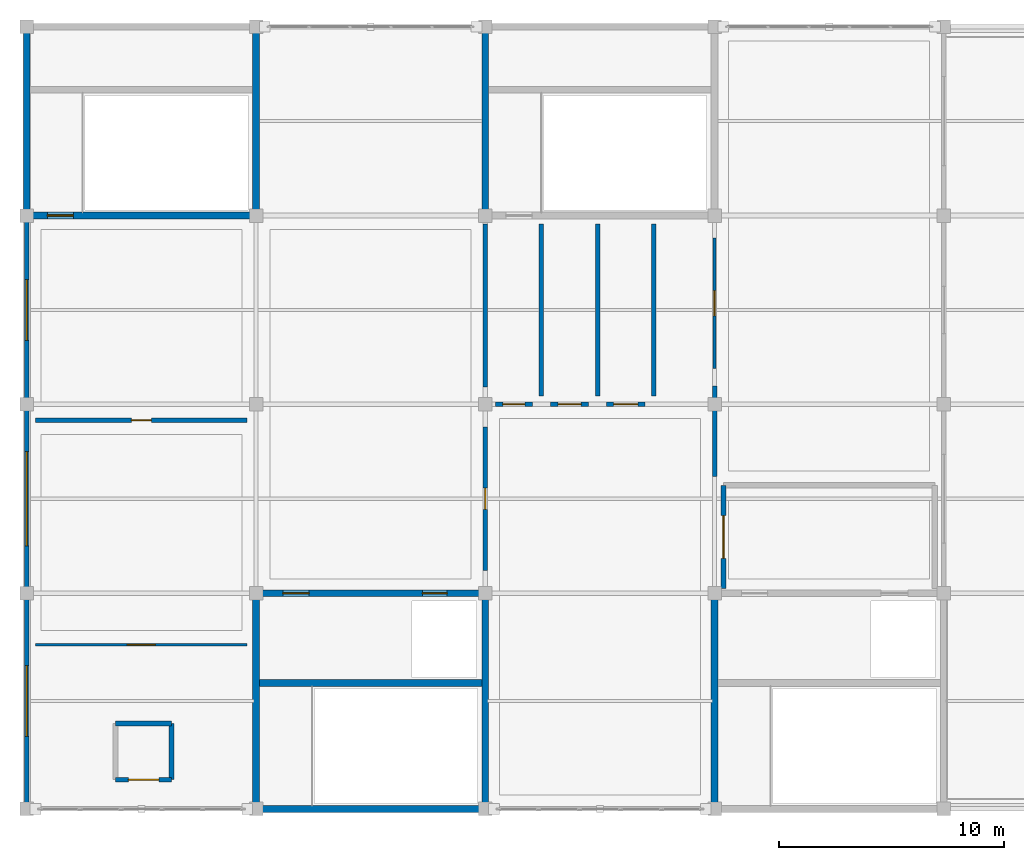
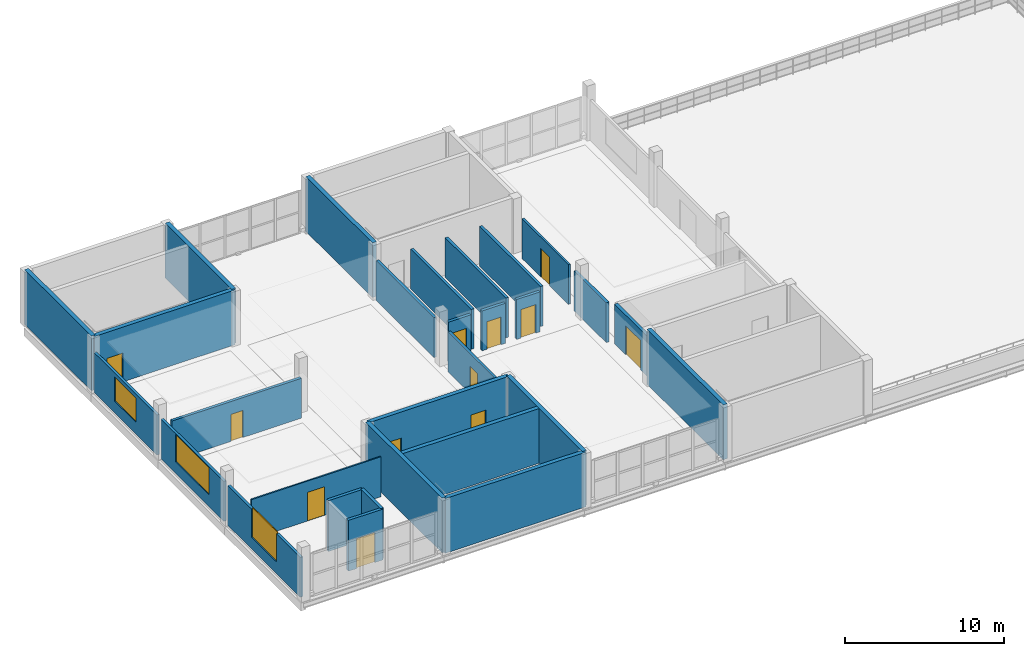
# One storey, part 10 of 12: 29 walls, 12 doors, 3 windows, 15 openings.
"""IFC4 building model written with IfcOpenShell, lengths in metres."""

from ifc_helpers import new_model, si_unit, direction, frame, frame_2d, origin, place, context, subcontext, project, spatial, rectangle, extrude, material, layer, layer_set, type_object, element, fill, save


model = new_model("IFC4")

# Units and contexts
model_context = context("Model", 3, precision=1e-05, world=origin(), true_north=direction((0.0, 1.0)))
body_context = subcontext(model_context, "Body", "Model", "MODEL_VIEW")
ifc_project = project(units=[si_unit("LENGTHUNIT", "METRE"), si_unit("AREAUNIT", "SQUARE_METRE"), si_unit("VOLUMEUNIT", "CUBIC_METRE"), si_unit("PLANEANGLEUNIT", "RADIAN"), si_unit("MASSUNIT", "GRAM", prefix="KILO")], contexts=[model_context])

# Site, building, storey
site_placement = place(None, origin())
site = spatial("IfcSite", under=ifc_project, at=site_placement, CompositionType="ELEMENT")
building_placement = place(site_placement, origin())
building = spatial("IfcBuilding", under=site, at=building_placement, Name="Brelvane Convention Centre", CompositionType="ELEMENT")
storey_placement = place(building_placement, frame((0.0, 0.0, 23.39990234375)))
storey = spatial("IfcBuildingStorey", under=building, at=storey_placement, Name="L05", CompositionType="ELEMENT", Elevation=23.39990234375)

# Wall, opening, window
ifc_material_1 = material(Name="Insulated Autoclaved Aerated Concrete Block Grade 1", Category="concrete")
ifc_layer_1 = layer(ifc_material_1, 0.18994140625)
ifc_layer_set_1 = layer_set([ifc_layer_1], Name="Insulated Autoclaved Aerated Concrete Block Grade 1")
wall_type_1 = type_object("IfcWallType", Name="Exterior Wall EW-06", PredefinedType="STANDARD", material=ifc_layer_set_1)
wall_1_placement = place(storey_placement, frame((0.0, 109.43994140625, 0.0), z_axis=(0.0, 0.0, 1.0), x_axis=(0.0, 1.0, 0.0)))
wall_1 = element("IfcWall", 1, at=wall_1_placement, inside=storey, type_object=wall_type_1, Name="Exterior Wall L05 V4W-L05-109", PredefinedType="STANDARD", context=body_context, shape_type="SweptSolid", body=[
    extrude(rectangle(XDim=9.1201171875, YDim=0.18994140625, at=frame_2d((4.56005859375, 0.0))), origin(), (0.0, 0.0, 1.0), 3.06005859375),
])
opening_1_placement = place(wall_1_placement, frame((2.985107421875, 0.0, 0.89990234375)))
opening_1 = element("IfcOpeningElement", 2, at=opening_1_placement, cuts=wall_1, Name="Opening WN-16", PredefinedType="OPENING", context=body_context, shape_type="SweptSolid", body=[
    extrude(rectangle(XDim=3.14990234375, YDim=2.25, at=frame_2d((1.574951171875, 1.125))), frame((0.0, 0.10498046875, 0.0), z_axis=(0.0, -1.0, 0.0), x_axis=(1.0, 0.0, 0.0)), (0.0, 0.0, 1.0), 0.2099609375),
])
ifc_material_2 = material(Name="Double Glazed Low-E Laminated Unit")
window_type_1 = type_object("IfcWindowType", Name="Window WN-16", PartitioningType="TRIPLE_PANEL_VERTICAL", PredefinedType="WINDOW", material=ifc_material_2)
window_1_placement = place(opening_1_placement, origin())
window_1 = element("IfcWindow", 3, at=window_1_placement, inside=storey, type_object=window_type_1, Name="Facade Window L05-V4W-L05-109-082", OverallHeight=2.25, OverallWidth=3.14990234375, PartitioningType="TRIPLE_PANEL_VERTICAL", PredefinedType="WINDOW", context=body_context, shape_type="SweptSolid", body=[
    extrude(rectangle(XDim=3.14990234375, YDim=2.25, at=frame_2d((1.574951171875, 1.125))), frame((0.0, 0.030029296875, 0.0), z_axis=(0.0, -1.0, 0.0), x_axis=(1.0, 0.0, 0.0)), (0.0, 0.0, 1.0), 0.06005859375),
])
fill(opening_1, window_1)

wall_2_placement = place(storey_placement, frame((0.0, 119.0400390625, 0.0), z_axis=(0.0, 0.0, 1.0), x_axis=(0.0, 1.0, 0.0)))
wall_2 = element("IfcWall", 4, at=wall_2_placement, inside=storey, type_object=wall_type_1, Name="Exterior Wall L05 V4W-L05-118", PredefinedType="STANDARD", context=body_context, shape_type="SweptSolid", body=[
    extrude(rectangle(XDim=7.919921875, YDim=0.18994140625, at=frame_2d((3.9599609375, 0.0))), origin(), (0.0, 0.0, 1.0), 3.06005859375),
])
opening_2_placement = place(wall_2_placement, frame((1.860107421875, 0.0, 0.89990234375)))
opening_2 = element("IfcOpeningElement", 5, at=opening_2_placement, cuts=wall_2, Name="Opening WN-07", PredefinedType="OPENING", context=body_context, shape_type="SweptSolid", body=[
    extrude(rectangle(XDim=4.199951171875, YDim=2.10009765625, at=frame_2d((2.10009765625, 1.050048828125))), frame((0.0, 0.10498046875, 0.0), z_axis=(0.0, -1.0, 0.0), x_axis=(1.0, 0.0, 0.0)), (0.0, 0.0, 1.0), 0.2099609375),
])
ifc_material_3 = material(Name="Double Glazed Low-E Laminated Unit")
window_type_2 = type_object("IfcWindowType", Name="Window WN-07", PartitioningType="TRIPLE_PANEL_VERTICAL", PredefinedType="WINDOW", material=ifc_material_3)
window_2_placement = place(opening_2_placement, origin())
window_2 = element("IfcWindow", 6, at=window_2_placement, inside=storey, type_object=window_type_2, Name="Facade Window L05-V4W-L05-118-083", OverallHeight=2.10009765625, OverallWidth=4.199951171875, PartitioningType="TRIPLE_PANEL_VERTICAL", PredefinedType="WINDOW", context=body_context, shape_type="SweptSolid", body=[
    extrude(rectangle(XDim=4.199951171875, YDim=2.10009765625, at=frame_2d((2.10009765625, 1.050048828125))), frame((0.0, 0.030029296875, 0.0), z_axis=(0.0, -1.0, 0.0), x_axis=(1.0, 0.0, 0.0)), (0.0, 0.0, 1.0), 0.06005859375),
])
fill(opening_2, window_2)

wall_3_placement = place(storey_placement, frame((0.0, 127.43994140625, 0.0), z_axis=(0.0, 0.0, 1.0), x_axis=(0.0, 1.0, 0.0)))
wall_3 = element("IfcWall", 7, at=wall_3_placement, inside=storey, type_object=wall_type_1, Name="Exterior Wall L05 V4W-L05-127", PredefinedType="STANDARD", context=body_context, shape_type="SweptSolid", body=[
    extrude(rectangle(XDim=7.920166015625, YDim=0.18994140625, at=frame_2d((3.9599609375, 0.0))), origin(), (0.0, 0.0, 1.0), 3.06005859375),
])
opening_3_placement = place(wall_3_placement, frame((2.610107421875, 0.0, 0.89990234375)))
opening_3 = element("IfcOpeningElement", 8, at=opening_3_placement, cuts=wall_3, Name="Opening WN-06", PredefinedType="OPENING", context=body_context, shape_type="SweptSolid", body=[
    extrude(rectangle(XDim=2.699951171875, YDim=1.85009765625, at=frame_2d((1.35009765625, 0.925048828125))), frame((0.0, 0.10498046875, 0.0), z_axis=(0.0, -1.0, 0.0), x_axis=(1.0, 0.0, 0.0)), (0.0, 0.0, 1.0), 0.2099609375),
])
ifc_material_4 = material(Name="Double Glazed Low-E Laminated Unit")
window_type_3 = type_object("IfcWindowType", Name="Window WN-06", PartitioningType="TRIPLE_PANEL_VERTICAL", PredefinedType="WINDOW", material=ifc_material_4)
window_3_placement = place(opening_3_placement, origin())
window_3 = element("IfcWindow", 9, at=window_3_placement, inside=storey, type_object=window_type_3, Name="Facade Window L05-V4W-L05-127-084", OverallHeight=1.85009765625, OverallWidth=2.699951171875, PartitioningType="TRIPLE_PANEL_VERTICAL", PredefinedType="WINDOW", context=body_context, shape_type="SweptSolid", body=[
    extrude(rectangle(XDim=2.699951171875, YDim=1.85009765625, at=frame_2d((1.35009765625, 0.925048828125))), frame((0.0, 0.030029296875, 0.0), z_axis=(0.0, -1.0, 0.0), x_axis=(1.0, 0.0, 0.0)), (0.0, 0.0, 1.0), 0.06005859375),
])
fill(opening_3, window_3)

# Wall, opening, door
ifc_material_5 = material(Name="Fire-Rated Acoustic Gypsum Partition Board Grade A")
ifc_layer_2 = layer(ifc_material_5, 0.14501953125)
ifc_layer_set_2 = layer_set([ifc_layer_2], Name="Fire-Rated Acoustic Gypsum Partition Board Grade A")
wall_type_2 = type_object("IfcWallType", Name="Interior Wall IW-AC-145", PredefinedType="PARTITIONING", material=ifc_layer_set_2)
wall_4_placement = place(storey_placement, frame((30.60009765625, 128.800048828125, 0.0), z_axis=(0.0, 0.0, 1.0), x_axis=(0.0, 1.0, 0.0)))
wall_4 = element("IfcWall", 10, at=wall_4_placement, inside=storey, type_object=wall_type_2, Name="Interior Partition L05-EXL5", PredefinedType="PARTITIONING", context=body_context, shape_type="SweptSolid", body=[
    extrude(rectangle(XDim=5.800048828125, YDim=0.14501953125, at=frame_2d((2.89990234375, 0.0))), origin(), (0.0, 0.0, 1.0), 3.06005859375),
])
opening_4_placement = place(wall_4_placement, frame((2.340087890625, 0.0, 0.0)))
opening_4 = element("IfcOpeningElement", 11, at=opening_4_placement, cuts=wall_4, Name="Opening DR-IN-13R", PredefinedType="OPENING", context=body_context, shape_type="SweptSolid", body=[
    extrude(rectangle(XDim=1.1201171875, YDim=2.179931640625, at=frame_2d((0.56005859375, 1.08984375))), frame((0.0, 0.08251953125, 0.0), z_axis=(0.0, -1.0, 0.0), x_axis=(1.0, 0.0, 0.0)), (0.0, 0.0, 1.0), 0.1650390625),
])
ifc_material_6 = material(Name="Solid-Core Fire-Rated Hardwood Leaf Grade 1", Category="wood")
door_type_1 = type_object("IfcDoorType", Name="Interior Door DR-IN-13R", OperationType="NOTDEFINED", PredefinedType="DOOR", material=ifc_material_6)
door_1_placement = place(opening_4_placement, origin())
door_1 = element("IfcDoor", 12, at=door_1_placement, inside=storey, type_object=door_type_1, Name="Interior Door L05-EXL5 (DR-IN-13R)", OperationType="SINGLE_SWING_RIGHT", OverallHeight=2.179931640625, OverallWidth=1.1201171875, PredefinedType="DOOR", context=body_context, shape_type="SweptSolid", body=[
    extrude(rectangle(XDim=1.1201171875, YDim=2.179931640625, at=frame_2d((0.56005859375, 1.08984375))), frame((0.0, 0.02490234375, 0.0), z_axis=(0.0, -1.0, 0.0), x_axis=(1.0, 0.0, 0.0)), (0.0, 0.0, 1.0), 0.050048828125),
])
fill(opening_4, door_1)

ifc_material_7 = material(Name="Fire-Rated Acoustic Gypsum Partition Board Grade A")
ifc_layer_3 = layer(ifc_material_7, 0.18505859375)
ifc_layer_set_3 = layer_set([ifc_layer_3], Name="Fire-Rated Acoustic Gypsum Partition Board Grade A")
wall_type_3 = type_object("IfcWallType", Name="Interior Wall IW-AC-185", PredefinedType="PARTITIONING", material=ifc_layer_set_3)
wall_5_placement = place(storey_placement, frame((20.39990234375, 119.800048828125, 0.0), z_axis=(0.0, 0.0, 1.0), x_axis=(0.0, 1.0, 0.0)))
wall_5 = element("IfcWall", 13, at=wall_5_placement, inside=storey, type_object=wall_type_3, Name="Interior Partition L05-SBRD5", PredefinedType="PARTITIONING", context=body_context, shape_type="SweptSolid", body=[
    extrude(rectangle(XDim=6.39990234375, YDim=0.18505859375, at=frame_2d((3.199951171875, 0.0))), origin(), (0.0, 0.0, 1.0), 3.06005859375),
])
opening_5_placement = place(wall_5_placement, frame((2.72998046875, 0.0, 0.0)))
opening_5 = element("IfcOpeningElement", 14, at=opening_5_placement, cuts=wall_5, Name="Opening DR-IN-11R", PredefinedType="OPENING", context=body_context, shape_type="SweptSolid", body=[
    extrude(rectangle(XDim=0.93994140625, YDim=2.080078125, at=frame_2d((0.469970703125, 1.0400390625))), frame((0.0, 0.1025390625, 0.0), z_axis=(0.0, -1.0, 0.0), x_axis=(1.0, 0.0, 0.0)), (0.0, 0.0, 1.0), 0.205078125),
])
ifc_material_8 = material(Name="Solid-Core Fire-Rated Hardwood Leaf Grade 1", Category="wood")
door_type_2 = type_object("IfcDoorType", Name="Interior Door DR-IN-11R", OperationType="NOTDEFINED", PredefinedType="DOOR", material=ifc_material_8)
door_2_placement = place(opening_5_placement, origin())
door_2 = element("IfcDoor", 15, at=door_2_placement, inside=storey, type_object=door_type_2, Name="Interior Door L05-SBRD5 (DR-IN-11R)", OperationType="SINGLE_SWING_RIGHT", OverallHeight=2.080078125, OverallWidth=0.93994140625, PredefinedType="DOOR", context=body_context, shape_type="SweptSolid", body=[
    extrude(rectangle(XDim=0.93994140625, YDim=2.080078125, at=frame_2d((0.469970703125, 1.0400390625))), frame((0.0, 0.02490234375, 0.0), z_axis=(0.0, -1.0, 0.0), x_axis=(1.0, 0.0, 0.0)), (0.0, 0.0, 1.0), 0.050048828125),
])
fill(opening_5, door_2)

ifc_material_9 = material(Name="Fire-Rated Acoustic Gypsum Partition Board Grade A")
ifc_layer_4 = layer(ifc_material_9, 0.199951171875)
ifc_layer_set_4 = layer_set([ifc_layer_4], Name="Fire-Rated Acoustic Gypsum Partition Board Grade A")
wall_type_4 = type_object("IfcWallType", Name="Interior Wall IW-FR-200", PredefinedType="PARTITIONING", material=ifc_layer_set_4)
wall_6_placement = place(storey_placement, frame((0.39990234375, 126.5, 0.0), z_axis=(0.0, 0.0, 1.0), x_axis=(1.0, 0.0, 0.0)))
wall_6 = element("IfcWall", 16, at=wall_6_placement, inside=storey, type_object=wall_type_4, Name="Interior Partition L05-PNT5", PredefinedType="PARTITIONING", context=body_context, shape_type="SweptSolid", body=[
    extrude(rectangle(XDim=9.400146484375, YDim=0.199951171875, at=frame_2d((4.7001953125, 0.0))), origin(), (0.0, 0.0, 1.0), 3.06005859375),
])
opening_6_placement = place(wall_6_placement, frame((4.260009765625, 0.0, 0.0)))
opening_6 = element("IfcOpeningElement", 17, at=opening_6_placement, cuts=wall_6, Name="Opening DR-IN-11L", PredefinedType="OPENING", context=body_context, shape_type="SweptSolid", body=[
    extrude(rectangle(XDim=0.8798828125, YDim=2.080078125, at=frame_2d((0.43994140625, 1.0400390625))), frame((0.0, 0.10986328125, 0.0), z_axis=(0.0, -1.0, 0.0), x_axis=(1.0, 0.0, 0.0)), (0.0, 0.0, 1.0), 0.219970703125),
])
ifc_material_10 = material(Name="Solid-Core Fire-Rated Hardwood Leaf Grade 1", Category="wood")
door_type_3 = type_object("IfcDoorType", Name="Interior Door DR-IN-11L", OperationType="NOTDEFINED", PredefinedType="DOOR", material=ifc_material_10)
door_3_placement = place(opening_6_placement, origin())
door_3 = element("IfcDoor", 18, at=door_3_placement, inside=storey, type_object=door_type_3, Name="Interior Door L05-PNT5 (DR-IN-11L)", OperationType="SINGLE_SWING_LEFT", OverallHeight=2.080078125, OverallWidth=0.8798828125, PredefinedType="DOOR", context=body_context, shape_type="SweptSolid", body=[
    extrude(rectangle(XDim=0.8798828125, YDim=2.080078125, at=frame_2d((0.43994140625, 1.0400390625))), frame((0.0, 0.02490234375, 0.0), z_axis=(0.0, -1.0, 0.0), x_axis=(1.0, 0.0, 0.0)), (0.0, 0.0, 1.0), 0.050048828125),
])
fill(opening_6, door_3)

wall_7_placement = place(storey_placement, frame((20.85009765625, 127.199951171875, 0.0), z_axis=(0.0, 0.0, 1.0), x_axis=(1.0, 0.0, 0.0)))
wall_7 = element("IfcWall", 19, at=wall_7_placement, inside=storey, type_object=wall_type_4, Name="Interior Partition L05-WCM5", PredefinedType="PARTITIONING", context=body_context, shape_type="SweptSolid", body=[
    extrude(rectangle(XDim=1.64990234375, YDim=0.199951171875, at=frame_2d((0.824951171875, 0.0))), origin(), (0.0, 0.0, 1.0), 3.06005859375),
])
opening_7_placement = place(wall_7_placement, frame((0.3349609375, 0.0, 0.0)))
opening_7 = element("IfcOpeningElement", 20, at=opening_7_placement, cuts=wall_7, Name="Opening DR-IN-12L", PredefinedType="OPENING", context=body_context, shape_type="SweptSolid", body=[
    extrude(rectangle(XDim=0.97998046875, YDim=2.1201171875, at=frame_2d((0.489990234375, 1.06005859375))), frame((0.0, 0.10986328125, 0.0), z_axis=(0.0, -1.0, 0.0), x_axis=(1.0, 0.0, 0.0)), (0.0, 0.0, 1.0), 0.219970703125),
])
ifc_material_11 = material(Name="Solid-Core Fire-Rated Hardwood Leaf Grade 1", Category="wood")
door_type_4 = type_object("IfcDoorType", Name="Interior Door DR-IN-12L", OperationType="NOTDEFINED", PredefinedType="DOOR", material=ifc_material_11)
door_4_placement = place(opening_7_placement, origin())
door_4 = element("IfcDoor", 21, at=door_4_placement, inside=storey, type_object=door_type_4, Name="Interior Door L05-WCM5 (DR-IN-12L)", OperationType="SINGLE_SWING_LEFT", OverallHeight=2.1201171875, OverallWidth=0.97998046875, PredefinedType="DOOR", context=body_context, shape_type="SweptSolid", body=[
    extrude(rectangle(XDim=0.97998046875, YDim=2.1201171875, at=frame_2d((0.489990234375, 1.06005859375))), frame((0.0, 0.02490234375, 0.0), z_axis=(0.0, -1.0, 0.0), x_axis=(1.0, 0.0, 0.0)), (0.0, 0.0, 1.0), 0.050048828125),
])
fill(opening_7, door_4)

wall_8_placement = place(storey_placement, frame((23.300048828125, 127.199951171875, 0.0), z_axis=(0.0, 0.0, 1.0), x_axis=(1.0, 0.0, 0.0)))
wall_8 = element("IfcWall", 22, at=wall_8_placement, inside=storey, type_object=wall_type_4, Name="Interior Partition L05-WCF5", PredefinedType="PARTITIONING", context=body_context, shape_type="SweptSolid", body=[
    extrude(rectangle(XDim=1.699951171875, YDim=0.199951171875, at=frame_2d((0.85009765625, 0.0))), origin(), (0.0, 0.0, 1.0), 3.06005859375),
])
opening_8_placement = place(wall_8_placement, frame((0.340087890625, 0.0, 0.0)))
opening_8 = element("IfcOpeningElement", 23, at=opening_8_placement, cuts=wall_8, Name="Opening DR-IN-12R", PredefinedType="OPENING", context=body_context, shape_type="SweptSolid", body=[
    extrude(rectangle(XDim=1.02001953125, YDim=2.1201171875, at=frame_2d((0.510009765625, 1.06005859375))), frame((0.0, 0.10986328125, 0.0), z_axis=(0.0, -1.0, 0.0), x_axis=(1.0, 0.0, 0.0)), (0.0, 0.0, 1.0), 0.219970703125),
])
ifc_material_12 = material(Name="Solid-Core Fire-Rated Hardwood Leaf Grade 1", Category="wood")
door_type_5 = type_object("IfcDoorType", Name="Interior Door DR-IN-12R", OperationType="NOTDEFINED", PredefinedType="DOOR", material=ifc_material_12)
door_5_placement = place(opening_8_placement, origin())
door_5 = element("IfcDoor", 24, at=door_5_placement, inside=storey, type_object=door_type_5, Name="Interior Door L05-WCF5 (DR-IN-12R)", OperationType="SINGLE_SWING_RIGHT", OverallHeight=2.1201171875, OverallWidth=1.02001953125, PredefinedType="DOOR", context=body_context, shape_type="SweptSolid", body=[
    extrude(rectangle(XDim=1.02001953125, YDim=2.1201171875, at=frame_2d((0.510009765625, 1.06005859375))), frame((0.0, 0.02490234375, 0.0), z_axis=(0.0, -1.0, 0.0), x_axis=(1.0, 0.0, 0.0)), (0.0, 0.0, 1.0), 0.050048828125),
])
fill(opening_8, door_5)

wall_9_placement = place(storey_placement, frame((25.800048828125, 127.199951171875, 0.0), z_axis=(0.0, 0.0, 1.0), x_axis=(1.0, 0.0, 0.0)))
wall_9 = element("IfcWall", 25, at=wall_9_placement, inside=storey, type_object=wall_type_4, Name="Interior Partition L05-WCACC5", PredefinedType="PARTITIONING", context=body_context, shape_type="SweptSolid", body=[
    extrude(rectangle(XDim=1.699951171875, YDim=0.199951171875, at=frame_2d((0.85009765625, 0.0))), origin(), (0.0, 0.0, 1.0), 3.06005859375),
])
opening_9_placement = place(wall_9_placement, frame((0.31005859375, 0.0, 0.0)))
opening_9 = element("IfcOpeningElement", 26, at=opening_9_placement, cuts=wall_9, Name="Opening DR-IN-13L", PredefinedType="OPENING", context=body_context, shape_type="SweptSolid", body=[
    extrude(rectangle(XDim=1.080078125, YDim=2.179931640625, at=frame_2d((0.5400390625, 1.08984375))), frame((0.0, 0.10986328125, 0.0), z_axis=(0.0, -1.0, 0.0), x_axis=(1.0, 0.0, 0.0)), (0.0, 0.0, 1.0), 0.219970703125),
])
ifc_material_13 = material(Name="Solid-Core Fire-Rated Hardwood Leaf Grade 1", Category="wood")
door_type_6 = type_object("IfcDoorType", Name="Interior Door DR-IN-13L", OperationType="NOTDEFINED", PredefinedType="DOOR", material=ifc_material_13)
door_6_placement = place(opening_9_placement, origin())
door_6 = element("IfcDoor", 27, at=door_6_placement, inside=storey, type_object=door_type_6, Name="Interior Door L05-WCACC5 (DR-IN-13L)", OperationType="SINGLE_SWING_LEFT", OverallHeight=2.179931640625, OverallWidth=1.080078125, PredefinedType="DOOR", context=body_context, shape_type="SweptSolid", body=[
    extrude(rectangle(XDim=1.080078125, YDim=2.179931640625, at=frame_2d((0.5400390625, 1.08984375))), frame((0.0, 0.02490234375, 0.0), z_axis=(0.0, -1.0, 0.0), x_axis=(1.0, 0.0, 0.0)), (0.0, 0.0, 1.0), 0.050048828125),
])
fill(opening_9, door_6)

# Walls
wall_10_placement = place(storey_placement, frame((20.39990234375, 127.97998046875, 0.0), z_axis=(0.0, 0.0, 1.0), x_axis=(0.0, 1.0, 0.0)))
element("IfcWall", 28, at=wall_10_placement, inside=storey, type_object=wall_type_4, Name="Interior Partition L05-WCDIV-L5A", PredefinedType="PARTITIONING", context=body_context, shape_type="SweptSolid", body=[
    extrude(rectangle(XDim=7.239990234375, YDim=0.199951171875, at=frame_2d((3.6201171875, 0.0))), origin(), (0.0, 0.0, 1.0), 3.06005859375),
])
for number, where, z_axis, x_axis, name in (
    (29, (22.89990234375, 127.580078125, 0.0), (0.0, 0.0, 1.0), (0.0, 1.0, 0.0), "Interior Partition L05-WCDIV-L5B"),
    (30, (25.39990234375, 127.580078125, 0.0), (0.0, 0.0, 1.0), (0.0, 1.0, 0.0), "Interior Partition L05-WCDIV-L5C"),
    (31, (27.89990234375, 127.580078125, 0.0), (0.0, 0.0, 1.0), (0.0, 1.0, 0.0), "Interior Partition L05-WCDIV-L5D"),
):
    element("IfcWall", number, at=place(storey_placement, frame(where, z_axis=z_axis, x_axis=x_axis)), inside=storey, type_object=wall_type_4, Name=name, PredefinedType="PARTITIONING", context=body_context, shape_type="SweptSolid", body=[
        extrude(rectangle(XDim=7.639892578125, YDim=0.199951171875, at=frame_2d((3.81982421875, 0.0))), origin(), (0.0, 0.0, 1.0), 3.06005859375),
    ])
wall_11_placement = place(storey_placement, frame((30.60009765625, 123.97998046875, 0.0), z_axis=(0.0, 0.0, 1.0), x_axis=(0.0, 1.0, 0.0)))
element("IfcWall", 32, at=wall_11_placement, inside=storey, type_object=wall_type_4, Name="Interior Partition L05-WCDIV-L5E", PredefinedType="PARTITIONING", context=body_context, shape_type="SweptSolid", body=[
    extrude(rectangle(XDim=4.0400390625, YDim=0.199951171875, at=frame_2d((2.02001953125, 0.0))), origin(), (0.0, 0.0, 1.0), 3.06005859375),
])

# Wall, opening, door
ifc_material_14 = material(Name="Concrete M40", Category="concrete")
ifc_layer_5 = layer(ifc_material_14, 0.219970703125)
ifc_layer_set_5 = layer_set([ifc_layer_5], Name="Concrete M40")
wall_type_5 = type_object("IfcWallType", Name="Interior Wall IW-FR-220", PredefinedType="PARTITIONING", material=ifc_layer_set_5)
wall_12_placement = place(storey_placement, frame((3.949951171875, 110.5, 0.0), z_axis=(0.0, 0.0, 1.0), x_axis=(1.0, 0.0, 0.0)))
wall_12 = element("IfcWall", 33, at=wall_12_placement, inside=storey, type_object=wall_type_5, Name="Lift LP-06 Shaft Wall S (L05)", PredefinedType="PARTITIONING", context=body_context, shape_type="SweptSolid", body=[
    extrude(rectangle(XDim=2.5, YDim=0.219970703125, at=frame_2d((1.25, 0.0))), origin(), (0.0, 0.0, 1.0), 3.900146484375),
])
opening_10_placement = place(wall_12_placement, frame((0.574951171875, 0.0, 0.0)))
opening_10 = element("IfcOpeningElement", 34, at=opening_10_placement, cuts=wall_12, Name="Opening LD-03", PredefinedType="OPENING", context=body_context, shape_type="SweptSolid", body=[
    extrude(rectangle(XDim=1.35009765625, YDim=2.300048828125, at=frame_2d((0.675048828125, 1.14990234375))), frame((0.0, 0.119873046875, 0.0), z_axis=(0.0, -1.0, 0.0), x_axis=(1.0, 0.0, 0.0)), (0.0, 0.0, 1.0), 0.239990234375),
])
ifc_material_15 = material(Name="Galvanised Hollow-Metal Fire Door Steel E250", Category="steel")
door_type_7 = type_object("IfcDoorType", Name="Interior Door LD-03", OperationType="NOTDEFINED", PredefinedType="DOOR", material=ifc_material_15)
door_7_placement = place(opening_10_placement, origin())
door_7 = element("IfcDoor", 35, at=door_7_placement, inside=storey, type_object=door_type_7, Name="Lift LP-06 Landing Door (L05)", OperationType="DOUBLE_DOOR_SLIDING", OverallHeight=2.300048828125, OverallWidth=1.35009765625, PredefinedType="DOOR", context=body_context, shape_type="SweptSolid", body=[
    extrude(rectangle(XDim=1.35009765625, YDim=2.300048828125, at=frame_2d((0.675048828125, 1.14990234375))), frame((0.0, 0.02490234375, 0.0), z_axis=(0.0, -1.0, 0.0), x_axis=(1.0, 0.0, 0.0)), (0.0, 0.0, 1.0), 0.050048828125),
])
fill(opening_10, door_7)

# Walls
for number, where, z_axis, x_axis, name in (
    (36, (3.949951171875, 113.0, 0.0), (0.0, 0.0, 1.0), (1.0, 0.0, 0.0), "Lift LP-06 Shaft Wall N (L05)"),
    (37, (6.449951171875, 110.5, 0.0), (0.0, 0.0, 1.0), (0.0, 1.0, 0.0), "Lift LP-06 Shaft Wall E (L05)"),
):
    element("IfcWall", number, at=place(storey_placement, frame(where, z_axis=z_axis, x_axis=x_axis)), inside=storey, type_object=wall_type_5, Name=name, PredefinedType="PARTITIONING", context=body_context, shape_type="SweptSolid", body=[
        extrude(rectangle(XDim=2.5, YDim=0.219970703125, at=frame_2d((1.25, 0.0))), origin(), (0.0, 0.0, 1.0), 3.900146484375),
    ])

# Wall, opening, door
ifc_material_16 = material(Name="Concrete M40", Category="concrete")
ifc_layer_6 = layer(ifc_material_16, 0.239990234375)
ifc_layer_set_6 = layer_set([ifc_layer_6], Name="Concrete M40")
wall_type_6 = type_object("IfcWallType", Name="Interior Wall IW-FR-240", PredefinedType="PARTITIONING", material=ifc_layer_set_6)
wall_13_placement = place(storey_placement, frame((31.0, 119.0, 0.0), z_axis=(0.0, 0.0, 1.0), x_axis=(0.0, 1.0, 0.0)))
wall_13 = element("IfcWall", 38, at=wall_13_placement, inside=storey, type_object=wall_type_6, Name="Firefighting Lobby C7 Wall W (L05)", PredefinedType="PARTITIONING", context=body_context, shape_type="SweptSolid", body=[
    extrude(rectangle(XDim=4.60009765625, YDim=0.239990234375, at=frame_2d((2.300048828125, 0.0))), origin(), (0.0, 0.0, 1.0), 3.06005859375),
])
opening_11_placement = place(wall_13_placement, frame((1.35009765625, 0.0, 0.0)))
opening_11 = element("IfcOpeningElement", 39, at=opening_11_placement, cuts=wall_13, Name="Opening DR-FL-01", PredefinedType="OPENING", context=body_context, shape_type="SweptSolid", body=[
    extrude(rectangle(XDim=1.89990234375, YDim=2.25, at=frame_2d((0.949951171875, 1.125))), frame((0.0, 0.1298828125, 0.0), z_axis=(0.0, -1.0, 0.0), x_axis=(1.0, 0.0, 0.0)), (0.0, 0.0, 1.0), 0.260009765625),
])
ifc_material_17 = material(Name="Galvanised Hollow-Metal Fire Door Steel E250", Category="steel")
door_type_8 = type_object("IfcDoorType", Name="Interior Door DR-FL-01", OperationType="NOTDEFINED", PredefinedType="DOOR", material=ifc_material_17)
door_8_placement = place(opening_11_placement, origin())
door_8 = element("IfcDoor", 40, at=door_8_placement, inside=storey, type_object=door_type_8, Name="Firefighting Lobby C7 Smoke Door (L05)", OperationType="DOUBLE_DOOR_SINGLE_SWING", OverallHeight=2.25, OverallWidth=1.89990234375, PredefinedType="DOOR", context=body_context, shape_type="SweptSolid", body=[
    extrude(rectangle(XDim=1.89990234375, YDim=2.25, at=frame_2d((0.949951171875, 1.125))), frame((0.0, 0.02490234375, 0.0), z_axis=(0.0, -1.0, 0.0), x_axis=(1.0, 0.0, 0.0)), (0.0, 0.0, 1.0), 0.050048828125),
])
fill(opening_11, door_8)

ifc_material_18 = material(Name="Fire-Rated Acoustic Gypsum Partition Board Grade A")
ifc_layer_7 = layer(ifc_material_18, 0.10498046875)
ifc_layer_set_7 = layer_set([ifc_layer_7], Name="Fire-Rated Acoustic Gypsum Partition Board Grade A")
wall_type_7 = type_object("IfcWallType", Name="Interior Wall IW-PT-105", PredefinedType="PARTITIONING", material=ifc_layer_set_7)
wall_14_placement = place(storey_placement, frame((0.39990234375, 116.5, 0.0), z_axis=(0.0, 0.0, 1.0), x_axis=(1.0, 0.0, 0.0)))
wall_14 = element("IfcWall", 41, at=wall_14_placement, inside=storey, type_object=wall_type_7, Name="Interior Partition L05-PRST", PredefinedType="PARTITIONING", context=body_context, shape_type="SweptSolid", body=[
    extrude(rectangle(XDim=9.400146484375, YDim=0.10498046875, at=frame_2d((4.7001953125, 0.0))), origin(), (0.0, 0.0, 1.0), 3.06005859375),
])
opening_12_placement = place(wall_14_placement, frame((4.080078125, 0.0, 0.0)))
opening_12 = element("IfcOpeningElement", 42, at=opening_12_placement, cuts=wall_14, Name="Opening DR-IN-04R", PredefinedType="OPENING", context=body_context, shape_type="SweptSolid", body=[
    extrude(rectangle(XDim=1.239990234375, YDim=2.199951171875, at=frame_2d((0.6201171875, 1.10009765625))), frame((0.0, 0.0625, 0.0), z_axis=(0.0, -1.0, 0.0), x_axis=(1.0, 0.0, 0.0)), (0.0, 0.0, 1.0), 0.125),
])
ifc_material_19 = material(Name="Galvanised Hollow-Metal Fire Door Steel E250", Category="steel")
door_type_9 = type_object("IfcDoorType", Name="Interior Door DR-IN-04R", OperationType="NOTDEFINED", PredefinedType="DOOR", material=ifc_material_19)
door_9_placement = place(opening_12_placement, origin())
door_9 = element("IfcDoor", 43, at=door_9_placement, inside=storey, type_object=door_type_9, Name="Interior Door L05-PRST (DR-IN-04R)", OperationType="SINGLE_SWING_RIGHT", OverallHeight=2.199951171875, OverallWidth=1.239990234375, PredefinedType="DOOR", context=body_context, shape_type="SweptSolid", body=[
    extrude(rectangle(XDim=1.239990234375, YDim=2.199951171875, at=frame_2d((0.6201171875, 1.10009765625))), frame((0.0, 0.02490234375, 0.0), z_axis=(0.0, -1.0, 0.0), x_axis=(1.0, 0.0, 0.0)), (0.0, 0.0, 1.0), 0.050048828125),
])
fill(opening_12, door_9)

# Wall
ifc_material_20 = material(Name="Concrete M50", Category="concrete")
ifc_layer_8 = layer(ifc_material_20, 0.300048828125)
ifc_layer_set_8 = layer_set([ifc_layer_8], Name="Concrete M50")
wall_type_8 = type_object("IfcWallType", Name="Structural Wall WL-CORE-300", PredefinedType="SHEAR", material=ifc_layer_set_8)
wall_15_placement = place(storey_placement, frame((10.199951171875, 109.199951171875, 0.0), z_axis=(0.0, 0.0, 1.0), x_axis=(1.0, 0.0, 0.0)))
element("IfcWall", 44, at=wall_15_placement, inside=storey, type_object=wall_type_8, Name="Core C6 Shear Wall S (L05)", PredefinedType="SHEAR", context=body_context, shape_type="SweptSolid", body=[
    extrude(rectangle(XDim=10.199951171875, YDim=0.300048828125, at=frame_2d((5.10009765625, 0.0))), origin(), (0.0, 0.0, 1.0), 4.2001953125),
])

# Wall, openings, doors
wall_16_placement = place(storey_placement, frame((10.199951171875, 118.800048828125, 0.0), z_axis=(0.0, 0.0, 1.0), x_axis=(1.0, 0.0, 0.0)))
wall_16 = element("IfcWall", 45, at=wall_16_placement, inside=storey, type_object=wall_type_8, Name="Core C6 Shear Wall N (L05)", PredefinedType="SHEAR", context=body_context, shape_type="SweptSolid", body=[
    extrude(rectangle(XDim=10.199951171875, YDim=0.300048828125, at=frame_2d((5.10009765625, 0.0))), origin(), (0.0, 0.0, 1.0), 4.2001953125),
])
opening_13_placement = place(wall_16_placement, frame((1.199951171875, 0.0, 0.0)))
opening_13 = element("IfcOpeningElement", 46, at=opening_13_placement, cuts=wall_16, Name="Opening DR-IN-04L", PredefinedType="OPENING", context=body_context, shape_type="SweptSolid", body=[
    extrude(rectangle(XDim=1.159912109375, YDim=2.199951171875, at=frame_2d((0.580078125, 1.10009765625))), frame((0.0, 0.159912109375, 0.0), z_axis=(0.0, -1.0, 0.0), x_axis=(1.0, 0.0, 0.0)), (0.0, 0.0, 1.0), 0.320068359375),
])
opening_14_placement = place(wall_16_placement, frame((7.39990234375, 0.0, 0.0)))
opening_14 = element("IfcOpeningElement", 47, at=opening_14_placement, cuts=wall_16, Name="Opening LD-02", PredefinedType="OPENING", context=body_context, shape_type="SweptSolid", body=[
    extrude(rectangle(XDim=1.10009765625, YDim=2.199951171875, at=frame_2d((0.550048828125, 1.10009765625))), frame((0.0, 0.159912109375, 0.0), z_axis=(0.0, -1.0, 0.0), x_axis=(1.0, 0.0, 0.0)), (0.0, 0.0, 1.0), 0.320068359375),
])
ifc_material_21 = material(Name="Galvanised Hollow-Metal Fire Door Steel E250", Category="steel")
door_type_10 = type_object("IfcDoorType", Name="Interior Door DR-IN-04L", OperationType="NOTDEFINED", PredefinedType="DOOR", material=ifc_material_21)
door_10_placement = place(opening_13_placement, origin())
door_10 = element("IfcDoor", 48, at=door_10_placement, inside=storey, type_object=door_type_10, Name="Stair ST-06 Door (L05)", OperationType="SINGLE_SWING_LEFT", OverallHeight=2.199951171875, OverallWidth=1.159912109375, PredefinedType="DOOR", context=body_context, shape_type="SweptSolid", body=[
    extrude(rectangle(XDim=1.159912109375, YDim=2.199951171875, at=frame_2d((0.580078125, 1.10009765625))), frame((0.0, 0.02490234375, 0.0), z_axis=(0.0, -1.0, 0.0), x_axis=(1.0, 0.0, 0.0)), (0.0, 0.0, 1.0), 0.050048828125),
])
fill(opening_13, door_10)
ifc_material_22 = material(Name="Galvanised Hollow-Metal Fire Door Steel E250", Category="steel")
door_type_11 = type_object("IfcDoorType", Name="Interior Door LD-02", OperationType="NOTDEFINED", PredefinedType="DOOR", material=ifc_material_22)
door_11_placement = place(opening_14_placement, origin())
door_11 = element("IfcDoor", 49, at=door_11_placement, inside=storey, type_object=door_type_11, Name="Lift LP-03 Landing Door (L05)", OperationType="SLIDING_TO_RIGHT", OverallHeight=2.199951171875, OverallWidth=1.10009765625, PredefinedType="DOOR", context=body_context, shape_type="SweptSolid", body=[
    extrude(rectangle(XDim=1.10009765625, YDim=2.199951171875, at=frame_2d((0.550048828125, 1.10009765625))), frame((0.0, 0.02490234375, 0.0), z_axis=(0.0, -1.0, 0.0), x_axis=(1.0, 0.0, 0.0)), (0.0, 0.0, 1.0), 0.050048828125),
])
fill(opening_14, door_11)

# Walls
for number, where, z_axis, x_axis, name in (
    (50, (10.199951171875, 109.199951171875, 0.0), (0.0, 0.0, 1.0), (0.0, 1.0, 0.0), "Core C6 Shear Wall W (L05)"),
    (51, (20.39990234375, 109.199951171875, 0.0), (0.0, 0.0, 1.0), (0.0, 1.0, 0.0), "Core C6 Shear Wall E (L05)"),
    (52, (30.60009765625, 109.199951171875, 0.0), (0.0, 0.0, 1.0), (0.0, 1.0, 0.0), "Core C7 Shear Wall W (L05)"),
):
    element("IfcWall", number, at=place(storey_placement, frame(where, z_axis=z_axis, x_axis=x_axis)), inside=storey, type_object=wall_type_8, Name=name, PredefinedType="SHEAR", context=body_context, shape_type="SweptSolid", body=[
        extrude(rectangle(XDim=9.60009765625, YDim=0.300048828125, at=frame_2d((4.800048828125, 0.0))), origin(), (0.0, 0.0, 1.0), 4.2001953125),
    ])
wall_17_placement = place(storey_placement, frame((10.35009765625, 114.800048828125, 0.0), z_axis=(0.0, 0.0, 1.0), x_axis=(1.0, 0.0, 0.0)))
element("IfcWall", 53, at=wall_17_placement, inside=storey, type_object=wall_type_8, Name="Core C6 Shaft Divider Wall (L05)", PredefinedType="SHEAR", context=body_context, shape_type="SweptSolid", body=[
    extrude(rectangle(XDim=9.89990234375, YDim=0.300048828125, at=frame_2d((4.949951171875, 0.0))), origin(), (0.0, 0.0, 1.0), 4.2001953125),
])
wall_18_placement = place(storey_placement, frame((20.39990234375, 135.60009765625, 0.0), z_axis=(0.0, 0.0, 1.0), x_axis=(0.0, 1.0, 0.0)))
element("IfcWall", 54, at=wall_18_placement, inside=storey, type_object=wall_type_8, Name="Stair Core ST-13 Wall W (L05)", PredefinedType="SHEAR", context=body_context, shape_type="SweptSolid", body=[
    extrude(rectangle(XDim=8.39990234375, YDim=0.300048828125, at=frame_2d((4.199951171875, 0.0))), origin(), (0.0, 0.0, 1.0), 4.2001953125),
])

# Wall, opening, door
wall_19_placement = place(storey_placement, frame((0.0, 135.60009765625, 0.0), z_axis=(0.0, 0.0, 1.0), x_axis=(1.0, 0.0, 0.0)))
wall_19 = element("IfcWall", 55, at=wall_19_placement, inside=storey, type_object=wall_type_8, Name="Stair Core ST-17 Wall S (L05)", PredefinedType="SHEAR", context=body_context, shape_type="SweptSolid", body=[
    extrude(rectangle(XDim=10.199951171875, YDim=0.300048828125, at=frame_2d((5.10009765625, 0.0))), origin(), (0.0, 0.0, 1.0), 4.2001953125),
])
opening_15_placement = place(wall_19_placement, frame((0.919921875, 0.0, 0.0)))
opening_15 = element("IfcOpeningElement", 56, at=opening_15_placement, cuts=wall_19, Name="Opening DR-IN-04L", PredefinedType="OPENING", context=body_context, shape_type="SweptSolid", body=[
    extrude(rectangle(XDim=1.159912109375, YDim=2.199951171875, at=frame_2d((0.580078125, 1.10009765625))), frame((0.0, 0.159912109375, 0.0), z_axis=(0.0, -1.0, 0.0), x_axis=(1.0, 0.0, 0.0)), (0.0, 0.0, 1.0), 0.320068359375),
])
door_12_placement = place(opening_15_placement, origin())
door_12 = element("IfcDoor", 57, at=door_12_placement, inside=storey, type_object=door_type_10, Name="Stair ST-17 Entry Door (L05)", OperationType="SINGLE_SWING_LEFT", OverallHeight=2.199951171875, OverallWidth=1.159912109375, PredefinedType="DOOR", context=body_context, shape_type="SweptSolid", body=[
    extrude(rectangle(XDim=1.159912109375, YDim=2.199951171875, at=frame_2d((0.580078125, 1.10009765625))), frame((0.0, 0.02490234375, 0.0), z_axis=(0.0, -1.0, 0.0), x_axis=(1.0, 0.0, 0.0)), (0.0, 0.0, 1.0), 0.050048828125),
])
fill(opening_15, door_12)

# Walls
for number, where, z_axis, x_axis, name in (
    (58, (0.0, 135.60009765625, 0.0), (0.0, 0.0, 1.0), (0.0, 1.0, 0.0), "Stair Core ST-17 Wall W (L05)"),
    (59, (10.199951171875, 135.60009765625, 0.0), (0.0, 0.0, 1.0), (0.0, 1.0, 0.0), "Stair Core ST-17 Wall E (L05)"),
):
    element("IfcWall", number, at=place(storey_placement, frame(where, z_axis=z_axis, x_axis=x_axis)), inside=storey, type_object=wall_type_8, Name=name, PredefinedType="SHEAR", context=body_context, shape_type="SweptSolid", body=[
        extrude(rectangle(XDim=8.39990234375, YDim=0.300048828125, at=frame_2d((4.199951171875, 0.0))), origin(), (0.0, 0.0, 1.0), 4.2001953125),
    ])

save(model, "model.ifc")
